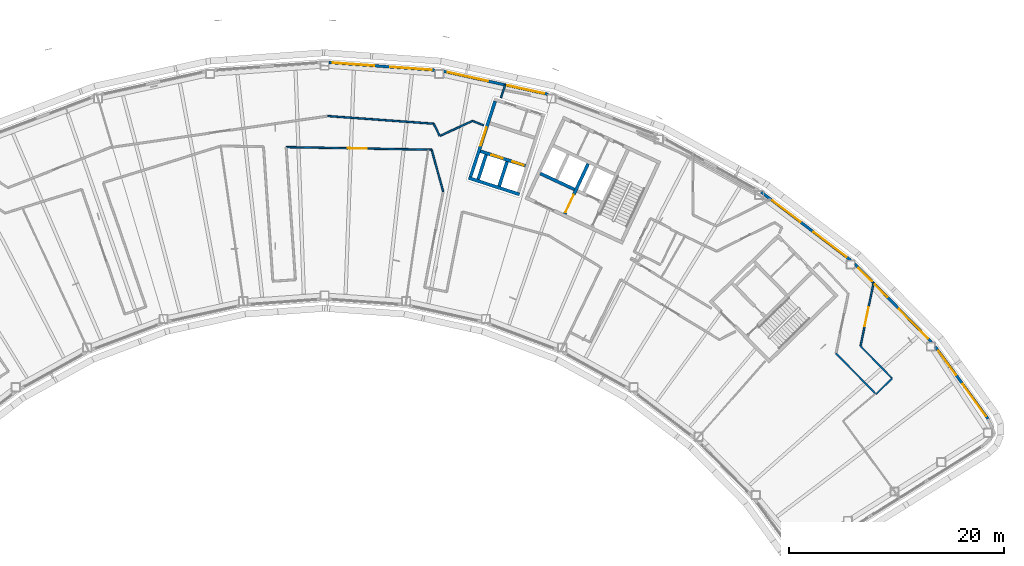
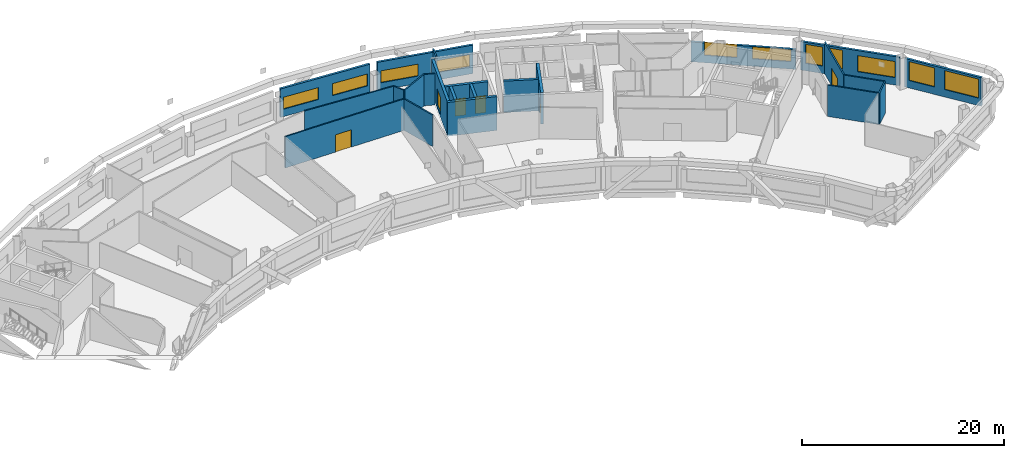
# One storey, part 9 of 21: 23 walls, 11 windows, 6 doors, 17 openings.
"""IFC4 building model written with IfcOpenShell, lengths in metres."""

import ifcopenshell
import ifcopenshell.guid

model = None  # the IFC model being written
_history = None  # IfcOwnerHistory: only IFC2X3 demands one
_inside = {}  # id of a spatial element -> (the spatial element, [elements in it])
_under = {}  # id of a project, library or spatial element -> (it, [spatial elements below it])
_declared = {}  # id of a project -> (the project, [libraries it declares])
_typed = {}  # id of a type object -> (the type object, [elements of that type])
_made_of = {}  # id of a material, layer set ... -> (it, [elements and type objects made of it])


def new_model(schema):
    """Start an empty IFC model of exactly this schema.

    Asked for "IFC4X3", IfcOpenShell would pick the latest addendum, in which some entities
    have other attributes; the version numbers below select the first issue.
    IFC2X3 requires an IfcOwnerHistory on every rooted entity: one is made here for all.
    """
    global model, _history
    if schema == "IFC4X3":
        model = ifcopenshell.file(schema_version=(4, 3, 0, 0))
    else:
        model = ifcopenshell.file(schema=schema)
    _inside.clear()
    _under.clear()
    _declared.clear()
    _typed.clear()
    _made_of.clear()
    _history = None
    if model.schema == "IFC2X3":
        org = make("IfcOrganization", Name="unknown")
        user = make(
            "IfcPersonAndOrganization",
            ThePerson=make("IfcPerson", FamilyName="unknown"),
            TheOrganization=org,
        )
        app = make(
            "IfcApplication",
            ApplicationDeveloper=org,
            Version="unknown",
            ApplicationFullName="unknown",
            ApplicationIdentifier="unknown",
        )
        _history = make(
            "IfcOwnerHistory",
            OwningUser=user,
            OwningApplication=app,
            ChangeAction="ADDED",
            CreationDate=0,
        )
    return model


def make(cls, **values):
    """One entity of the class cls with the attributes given. An attribute that is None is left unset."""
    return model.create_entity(
        cls, **{name: value for name, value in values.items() if value is not None}
    )


def rooted(cls, **values):
    """An entity with a GlobalId (a new one), such as an element, a storey or a relation."""
    return make(cls, GlobalId=ifcopenshell.guid.new(), OwnerHistory=_history, **values)


def si_unit(unit_type, name, prefix=None):
    """IfcSIUnit, for example si_unit("LENGTHUNIT", "METRE", prefix="MILLI")."""
    return make("IfcSIUnit", UnitType=unit_type, Prefix=prefix, Name=name)


def assignment(units):
    """IfcUnitAssignment: the units of a project."""
    return None if units is None else make("IfcUnitAssignment", Units=units)


def point(xyz):
    """IfcCartesianPoint."""
    return None if xyz is None else make("IfcCartesianPoint", Coordinates=xyz)


def direction(xyz):
    """IfcDirection."""
    return None if xyz is None else make("IfcDirection", DirectionRatios=xyz)


def frame(location, z_axis=None, x_axis=None):
    """IfcAxis2Placement3D, a coordinate frame: its origin and axes. An axis left out is left unset."""
    return make(
        "IfcAxis2Placement3D",
        Location=point(location),
        Axis=direction(z_axis),
        RefDirection=direction(x_axis),
    )


def frame_2d(location, x_axis=None):
    """IfcAxis2Placement2D, a coordinate frame in the plane: its origin and x axis."""
    return make(
        "IfcAxis2Placement2D", Location=point(location), RefDirection=direction(x_axis)
    )


def origin():
    """The frame at (0, 0, 0) with its axes left unset."""
    return frame((0.0, 0.0, 0.0))


def place(relative_to, where):
    """IfcLocalPlacement: puts the frame where relative to a parent placement (None: the world)."""
    return make(
        "IfcLocalPlacement", PlacementRelTo=relative_to, RelativePlacement=where
    )


def context(
    kind, dimensions, precision=None, world=None, true_north=None, identifier=None
):
    """IfcGeometricRepresentationContext, for example the 3D "Model" context."""
    return make(
        "IfcGeometricRepresentationContext",
        ContextIdentifier=identifier,
        ContextType=kind,
        CoordinateSpaceDimension=dimensions,
        Precision=precision,
        WorldCoordinateSystem=world,
        TrueNorth=true_north,
    )


def subcontext(parent, identifier, kind, view, scale=None):
    """IfcGeometricRepresentationSubContext, for example "Body" below "Model"."""
    return make(
        "IfcGeometricRepresentationSubContext",
        ContextIdentifier=identifier,
        ContextType=kind,
        ParentContext=parent,
        TargetScale=scale,
        TargetView=view,
    )


def project(units=None, contexts=None):
    """IfcProject with its units and contexts."""
    return rooted(
        "IfcProject",
        Name="project",
        RepresentationContexts=contexts,
        UnitsInContext=assignment(units),
    )


def spatial(cls, under=None, at=None, **own):
    """A site, building, storey or space (cls), placed at a placement, below another one or the project."""
    s = rooted(cls, ObjectPlacement=at, **own)
    if under is not None:
        _under.setdefault(under.id(), (under, []))[1].append(s)
    return s


def profile(cls, at=None, kind="AREA", **sizes):
    """A parametric profile (cls). Its sizes go by their IFC names, for example OverallWidth=200.0."""
    return make(cls, ProfileType=kind, Position=at, **sizes)


def rectangle(**sizes):
    """IfcRectangleProfileDef."""
    return profile("IfcRectangleProfileDef", **sizes)


def extrude(swept, where, along, depth):
    """IfcExtrudedAreaSolid: the profile swept, set in the frame where, extruded along a direction by depth."""
    return make(
        "IfcExtrudedAreaSolid",
        SweptArea=swept,
        Position=where,
        ExtrudedDirection=direction(along),
        Depth=depth,
    )


def shape(context_of_items, identifier, shape_type, items):
    """IfcShapeRepresentation: the items that make up one representation, for example the "Body"."""
    return make(
        "IfcShapeRepresentation",
        ContextOfItems=context_of_items,
        RepresentationIdentifier=identifier,
        RepresentationType=shape_type,
        Items=items,
    )


def material(Name=None, Category=None):
    """IfcMaterial."""
    return make("IfcMaterial", Name=Name, Category=Category)


def layer(
    of_material, thickness, ventilated=None, Name=None, Category=None, Priority=None
):
    """IfcMaterialLayer: one layer of a wall or slab, of a material (None: an air gap)."""
    return make(
        "IfcMaterialLayer",
        Material=of_material,
        LayerThickness=thickness,
        IsVentilated=ventilated,
        Name=Name,
        Category=Category,
        Priority=Priority,
    )


def layer_set(layers, Name=None):
    """IfcMaterialLayerSet."""
    return make("IfcMaterialLayerSet", MaterialLayers=layers, LayerSetName=Name)


def made_of(thing, what):
    """Note that an element or type object is made of a material, layer set ...; save() writes the relation."""
    if what is not None:
        _made_of.setdefault(what.id(), (what, []))[1].append(thing)
    return thing


def type_object(cls, material=None, **own):
    """A type object (cls), such as IfcWallType, which elements share."""
    return made_of(rooted(cls, **own), material)


def element(
    cls,
    number,
    at=None,
    inside=None,
    cuts=None,
    type_object=None,
    material=None,
    context=None,
    identifier="Body",
    shape_type=None,
    held_by="IfcProductDefinitionShape",
    body=None,
    shapes=None,
    **own,
):
    """One element of the class cls, such as IfcWall. Its Tag is "e" and its number.

    at: its placement. inside: the storey or other place that contains it. cuts: it is an
    opening in that element (IfcRelVoidsElement). A single representation is given by context,
    identifier, shape_type and body (its items); several are given by shapes. held_by: the class
    of the entity that holds the representations. save() writes the other relations.
    """
    e = rooted(cls, Tag="e%d" % number, ObjectPlacement=at, **own)
    if body is not None:
        shapes = [shape(context, identifier, shape_type, body)]
    if shapes is not None:
        e.Representation = make(held_by, Representations=shapes)
    if inside is not None:
        _inside.setdefault(inside.id(), (inside, []))[1].append(e)
    if cuts is not None:
        rooted(
            "IfcRelVoidsElement", RelatingBuildingElement=cuts, RelatedOpeningElement=e
        )
    if type_object is not None:
        _typed.setdefault(type_object.id(), (type_object, []))[1].append(e)
    return made_of(e, material)


def fill(opening, filler):
    """IfcRelFillsElement: the door or window that sits in an opening."""
    return rooted(
        "IfcRelFillsElement",
        RelatingOpeningElement=opening,
        RelatedBuildingElement=filler,
    )


def aggregate(whole, parts):
    """IfcRelAggregates: a whole, such as a stair, and the parts it consists of."""
    return rooted("IfcRelAggregates", RelatingObject=whole, RelatedObjects=parts)


def save(model, path):
    """Write the relations noted so far, then the file.

    IfcRelAggregates (storeys below a building ...), IfcRelContainedInSpatialStructure (elements
    in a storey), IfcRelDefinesByType, IfcRelAssociatesMaterial and IfcRelDeclares: one each for
    every whole, place, type object, material and project.
    """
    for whole, parts in _under.values():
        aggregate(whole, parts)
    for where, things in _inside.values():
        rooted(
            "IfcRelContainedInSpatialStructure",
            RelatedElements=things,
            RelatingStructure=where,
        )
    for kind, things in _typed.values():
        rooted("IfcRelDefinesByType", RelatedObjects=things, RelatingType=kind)
    for what, things in _made_of.values():
        rooted("IfcRelAssociatesMaterial", RelatedObjects=things, RelatingMaterial=what)
    for by, libraries in _declared.values():
        rooted("IfcRelDeclares", RelatingContext=by, RelatedDefinitions=libraries)
    model.write(path)


model = new_model("IFC4")

# Units and contexts
model_context = context("Model", 3, precision=1e-05, world=origin(), true_north=direction((0.0, 1.0)))
body_context = subcontext(model_context, "Body", "Model", "MODEL_VIEW")
ifc_project = project(units=[si_unit("LENGTHUNIT", "METRE"), si_unit("AREAUNIT", "SQUARE_METRE"), si_unit("VOLUMEUNIT", "CUBIC_METRE"), si_unit("PLANEANGLEUNIT", "RADIAN"), si_unit("MASSUNIT", "GRAM", prefix="KILO")], contexts=[model_context])

# Site, building, storey
site_placement = place(None, origin())
site = spatial("IfcSite", under=ifc_project, at=site_placement, CompositionType="ELEMENT")
building_placement = place(site_placement, origin())
building = spatial("IfcBuilding", under=site, at=building_placement, Name="Tuul Gate Civic Tower", CompositionType="ELEMENT")
storey_placement = place(building_placement, frame((0.0, 0.0, 311.0)))
storey = spatial("IfcBuildingStorey", under=building, at=storey_placement, Name="Level 70", CompositionType="ELEMENT", Elevation=311.0)

# Wall
ifc_material_1 = material(Name="Concrete C50/60", Category="concrete")
ifc_layer_1 = layer(ifc_material_1, 0.300048828125)
ifc_layer_set_1 = layer_set([ifc_layer_1], Name="Concrete C50/60")
wall_type_1 = type_object("IfcWallType", Name="Core wall C50/60", PredefinedType="SHEAR", material=ifc_layer_set_1)
wall_1_placement = place(storey_placement, frame((30.0078125, -2.2734375, 0.0), z_axis=(0.0, 0.0, 1.0), x_axis=(-0.90630071767, 0.422633421716, 0.0)))
element("IfcWall", 1, at=wall_1_placement, inside=storey, type_object=wall_type_1, Name="Core wall", PredefinedType="SHEAR", context=body_context, shape_type="SweptSolid", body=[
    extrude(rectangle(XDim=3.5, YDim=0.300048828125, at=frame_2d((1.75, 0.0))), origin(), (0.0, 0.0, 1.0), 3.800048828125),
])

# Wall, opening, door
wall_2_placement = place(storey_placement, frame((29.108642578125, -4.557373046875, 0.0), z_axis=(0.0, 0.0, 1.0), x_axis=(0.422566235356, 0.90633204552, 0.0)))
wall_2 = element("IfcWall", 2, at=wall_2_placement, inside=storey, type_object=wall_type_1, Name="Core wall", PredefinedType="SHEAR", context=body_context, shape_type="SweptSolid", body=[
    extrude(rectangle(XDim=5.150146484375, YDim=0.300048828125, at=frame_2d((2.5751953125, 0.0))), origin(), (0.0, 0.0, 1.0), 3.800048828125),
])
opening_1_placement = place(wall_2_placement, frame((0.175048828125, 0.0, 0.0)))
opening_1 = element("IfcOpeningElement", 3, at=opening_1_placement, cuts=wall_2, Name="Opening LB-E3-FLOBBY-1", PredefinedType="OPENING", context=body_context, shape_type="SweptSolid", body=[
    extrude(rectangle(XDim=1.800048828125, YDim=2.10009765625, at=frame_2d((0.89990234375, 1.050048828125))), frame((0.0, 0.16015625, 0.0), z_axis=(0.0, -1.0, 0.0), x_axis=(1.0, 0.0, 0.0)), (0.0, 0.0, 1.0), 0.320068359375),
])
ifc_material_2 = material(Name="Steel", Category="steel")
door_type_1 = type_object("IfcDoorType", Name="Lobby door", OperationType="DOUBLE_DOOR_SINGLE_SWING", PredefinedType="DOOR", material=ifc_material_2)
door_1_placement = place(opening_1_placement, frame((1.800048828125, 0.0, 0.0), z_axis=(0.0, 0.0, 1.0), x_axis=(-1.0, 0.0, 0.0)))
door_1 = element("IfcDoor", 4, at=door_1_placement, inside=storey, type_object=door_type_1, Name="Lobby door E3-FLOBBY", OperationType="DOUBLE_DOOR_SINGLE_SWING", OverallHeight=2.10009765625, OverallWidth=1.800048828125, PredefinedType="DOOR", context=body_context, shape_type="SweptSolid", body=[
    extrude(rectangle(XDim=1.800048828125, YDim=2.10009765625, at=frame_2d((0.900146484375, 1.050048828125))), frame((0.0, 0.02490234375, 0.0), z_axis=(0.0, -1.0, 0.0), x_axis=(1.0, 0.0, 0.0)), (0.0, 0.0, 1.0), 0.050048828125),
])
fill(opening_1, door_1)

# Walls
ifc_material_3 = material(Name="Gypsum board partition")
ifc_layer_2 = layer(ifc_material_3, 0.14990234375)
ifc_layer_set_2 = layer_set([ifc_layer_2], Name="Gypsum board partition")
wall_type_2 = type_object("IfcWallType", Name="Corridor wall P150", PredefinedType="PARTITIONING", material=ifc_layer_set_2)
wall_3_placement = place(storey_placement, frame((54.33251953125, -17.521240234375, 0.0), z_axis=(0.0, 0.0, 1.0), x_axis=(0.700016264069, -0.714126900515, 0.0)))
element("IfcWall", 5, at=wall_3_placement, inside=storey, type_object=wall_type_2, Name="p003", PredefinedType="PARTITIONING", context=body_context, shape_type="SweptSolid", body=[
    extrude(rectangle(XDim=5.311767578125, YDim=0.14990234375, at=frame_2d((2.65576171875, 0.0))), origin(), (0.0, 0.0, 1.0), 3.800048828125),
])
wall_4_placement = place(storey_placement, frame((58.05078125, -21.314453125, 0.0), z_axis=(0.0, 0.0, 1.0), x_axis=(0.714105887894, 0.70003769961, 0.0)))
element("IfcWall", 6, at=wall_4_placement, inside=storey, type_object=wall_type_2, Name="p004", PredefinedType="PARTITIONING", context=body_context, shape_type="SweptSolid", body=[
    extrude(rectangle(XDim=2.099853515625, YDim=0.14990234375, at=frame_2d((1.0498046875, 0.0))), origin(), (0.0, 0.0, 1.0), 3.800048828125),
])
wall_5_placement = place(storey_placement, frame((56.622314453125, -16.857421875, 0.0), z_axis=(0.0, 0.0, 1.0), x_axis=(0.700008966595, -0.714134053722, 0.0)))
element("IfcWall", 7, at=wall_5_placement, inside=storey, type_object=wall_type_2, Name="p005", PredefinedType="PARTITIONING", context=body_context, shape_type="SweptSolid", body=[
    extrude(rectangle(XDim=4.182861328125, YDim=0.14990234375, at=frame_2d((2.09130859375, 0.0))), origin(), (0.0, 0.0, 1.0), 3.800048828125),
])

# Wall, opening, door
wall_6_placement = place(storey_placement, frame((56.616943359375, -16.838623046875, 0.0), z_axis=(0.0, 0.0, 1.0), x_axis=(0.201480472867, 0.979492531392, 0.0)))
wall_6 = element("IfcWall", 8, at=wall_6_placement, inside=storey, type_object=wall_type_2, Name="p006", PredefinedType="PARTITIONING", context=body_context, shape_type="SweptSolid", body=[
    extrude(rectangle(XDim=5.991943359375, YDim=0.14990234375, at=frame_2d((2.99609375, 0.0))), origin(), (0.0, 0.0, 1.0), 3.800048828125),
])
opening_2_placement = place(wall_6_placement, frame((1.897216796875, 0.0, 0.0)))
opening_2 = element("IfcOpeningElement", 9, at=opening_2_placement, cuts=wall_6, Name="Opening Z-D01", PredefinedType="OPENING", context=body_context, shape_type="SweptSolid", body=[
    extrude(rectangle(XDim=1.800048828125, YDim=2.10009765625, at=frame_2d((0.89990234375, 1.050048828125))), frame((0.0, 0.0849609375, 0.0), z_axis=(0.0, -1.0, 0.0), x_axis=(1.0, 0.0, 0.0)), (0.0, 0.0, 1.0), 0.169921875),
])
ifc_material_4 = material(Name="Timber door leaf, double", Category="wood")
door_type_2 = type_object("IfcDoorType", Name="Door D18", OperationType="DOUBLE_DOOR_SINGLE_SWING", PredefinedType="DOOR", material=ifc_material_4)
door_2_placement = place(opening_2_placement, frame((1.800048828125, 0.0, 0.0), z_axis=(0.0, 0.0, 1.0), x_axis=(-1.0, 0.0, 0.0)))
door_2 = element("IfcDoor", 10, at=door_2_placement, inside=storey, type_object=door_type_2, Name="Door Z-D01", OperationType="DOUBLE_DOOR_SINGLE_SWING", OverallHeight=2.10009765625, OverallWidth=1.800048828125, PredefinedType="DOOR", context=body_context, shape_type="SweptSolid", body=[
    extrude(rectangle(XDim=1.800048828125, YDim=2.10009765625, at=frame_2d((0.900146484375, 1.050048828125))), frame((0.0, 0.02490234375, 0.0), z_axis=(0.0, -1.0, 0.0), x_axis=(1.0, 0.0, 0.0)), (0.0, 0.0, 1.0), 0.050048828125),
])
fill(opening_2, door_2)

# Walls
wall_7_placement = place(storey_placement, frame((23.176513671875, 6.2294921875, 0.0), z_axis=(0.0, 0.0, 1.0), x_axis=(0.308145393027, 0.951339275315, 0.0)))
element("IfcWall", 11, at=wall_7_placement, inside=storey, type_object=wall_type_2, Name="p014", PredefinedType="PARTITIONING", context=body_context, shape_type="SweptSolid", body=[
    extrude(rectangle(XDim=1.279541015625, YDim=0.14990234375, at=frame_2d((0.6396484375, 0.0))), origin(), (0.0, 0.0, 1.0), 3.800048828125),
])
wall_8_placement = place(storey_placement, frame((20.530517578125, 4.094482421875, 0.0), z_axis=(0.0, 0.0, 1.0), x_axis=(0.928417227945, -0.371539299206, 0.0)))
element("IfcWall", 12, at=wall_8_placement, inside=storey, type_object=wall_type_2, Name="p015", PredefinedType="PARTITIONING", context=body_context, shape_type="SweptSolid", body=[
    extrude(rectangle(XDim=1.1328125, YDim=0.14990234375, at=frame_2d((0.56640625, 0.0))), origin(), (0.0, 0.0, 1.0), 3.800048828125),
])
wall_9_placement = place(storey_placement, frame((17.50537109375, 2.701171875, 0.0), z_axis=(0.0, 0.0, 1.0), x_axis=(0.908291641802, 0.418337535289, 0.0)))
element("IfcWall", 13, at=wall_9_placement, inside=storey, type_object=wall_type_2, Name="p016", PredefinedType="PARTITIONING", context=body_context, shape_type="SweptSolid", body=[
    extrude(rectangle(XDim=3.33056640625, YDim=0.14990234375, at=frame_2d((1.665283203125, 0.0))), origin(), (0.0, 0.0, 1.0), 3.800048828125),
])
wall_10_placement = place(storey_placement, frame((16.924072265625, 3.835205078125, 0.0), z_axis=(0.0, 0.0, 1.0), x_axis=(0.442221676131, -0.896905786111, 0.0)))
element("IfcWall", 14, at=wall_10_placement, inside=storey, type_object=wall_type_2, Name="p017", PredefinedType="PARTITIONING", context=body_context, shape_type="SweptSolid", body=[
    extrude(rectangle(XDim=1.253662109375, YDim=0.14990234375, at=frame_2d((0.626953125, 0.0))), origin(), (0.0, 0.0, 1.0), 3.800048828125),
])
wall_11_placement = place(storey_placement, frame((7.087646484375, 4.547607421875, 0.0), z_axis=(0.0, 0.0, 1.0), x_axis=(0.997387588346, -0.072235715632, 0.0)))
element("IfcWall", 15, at=wall_11_placement, inside=storey, type_object=wall_type_2, Name="p018", PredefinedType="PARTITIONING", context=body_context, shape_type="SweptSolid", body=[
    extrude(rectangle(XDim=9.8623046875, YDim=0.14990234375, at=frame_2d((4.93115234375, 0.0))), origin(), (0.0, 0.0, 1.0), 3.800048828125),
])

# Wall, opening, door
wall_12_placement = place(storey_placement, frame((3.22509765625, 1.657958984375, 0.0), z_axis=(0.0, 0.0, 1.0), x_axis=(0.999840656995, -0.01785106777, 0.0)))
wall_12 = element("IfcWall", 16, at=wall_12_placement, inside=storey, type_object=wall_type_2, Name="p038", PredefinedType="PARTITIONING", context=body_context, shape_type="SweptSolid", body=[
    extrude(rectangle(XDim=13.498779296875, YDim=0.14990234375, at=frame_2d((6.74951171875, 0.0))), origin(), (0.0, 0.0, 1.0), 3.800048828125),
])
opening_3_placement = place(wall_12_placement, frame((5.69482421875, 0.0, 0.0)))
opening_3 = element("IfcOpeningElement", 17, at=opening_3_placement, cuts=wall_12, Name="Opening Z-D08", PredefinedType="OPENING", context=body_context, shape_type="SweptSolid", body=[
    extrude(rectangle(XDim=1.800048828125, YDim=2.10009765625, at=frame_2d((0.89990234375, 1.050048828125))), frame((0.0, 0.0849609375, 0.0), z_axis=(0.0, -1.0, 0.0), x_axis=(1.0, 0.0, 0.0)), (0.0, 0.0, 1.0), 0.169921875),
])
door_3_placement = place(opening_3_placement, frame((1.800048828125, 0.0, 0.0), z_axis=(0.0, 0.0, 1.0), x_axis=(-1.0, 0.0, 0.0)))
door_3 = element("IfcDoor", 18, at=door_3_placement, inside=storey, type_object=door_type_2, Name="Door Z-D08", OperationType="DOUBLE_DOOR_SINGLE_SWING", OverallHeight=2.10009765625, OverallWidth=1.800048828125, PredefinedType="DOOR", context=body_context, shape_type="SweptSolid", body=[
    extrude(rectangle(XDim=1.800048828125, YDim=2.10009765625, at=frame_2d((0.900146484375, 1.050048828125))), frame((0.0, 0.02490234375, 0.0), z_axis=(0.0, -1.0, 0.0), x_axis=(1.0, 0.0, 0.0)), (0.0, 0.0, 1.0), 0.050048828125),
])
fill(opening_3, door_3)

# Wall
wall_13_placement = place(storey_placement, frame((16.7412109375, 1.40185546875, 0.0), z_axis=(0.0, 0.0, 1.0), x_axis=(0.264174843179, -0.964474806426, 0.0)))
element("IfcWall", 19, at=wall_13_placement, inside=storey, type_object=wall_type_2, Name="p039", PredefinedType="PARTITIONING", context=body_context, shape_type="SweptSolid", body=[
    extrude(rectangle(XDim=4.02392578125, YDim=0.14990234375, at=frame_2d((2.011962890625, 0.0))), origin(), (0.0, 0.0, 1.0), 3.800048828125),
])

# Wall, openings, windows
ifc_material_5 = material(Name="Precast concrete C40/50", Category="concrete")
ifc_layer_3 = layer(ifc_material_5, 0.25)
ifc_layer_set_3 = layer_set([ifc_layer_3], Name="Precast concrete C40/50")
wall_type_3 = type_object("IfcWallType", Name="External wall", PredefinedType="STANDARD", material=ifc_layer_set_3)
wall_14_placement = place(storey_placement, frame((68.47802734375, -23.61376953125, 0.0), z_axis=(0.0, 0.0, 1.0), x_axis=(-0.589827901293, 0.807528975862, 0.0)))
wall_14 = element("IfcWall", 20, at=wall_14_placement, inside=storey, type_object=wall_type_3, Name="External wall", PredefinedType="STANDARD", context=body_context, shape_type="SweptSolid", body=[
    extrude(rectangle(XDim=8.337890625, YDim=0.25, at=frame_2d((4.1689453125, 0.0))), origin(), (0.0, 0.0, 1.0), 3.449951171875),
])
opening_4_placement = place(wall_14_placement, frame((0.301025390625, 0.0, 0.89990234375)))
opening_4 = element("IfcOpeningElement", 21, at=opening_4_placement, cuts=wall_14, Name="Opening W21", PredefinedType="OPENING", context=body_context, shape_type="SweptSolid", body=[
    extrude(rectangle(XDim=3.699951171875, YDim=2.300048828125, at=frame_2d((1.85009765625, 1.14990234375))), frame((0.0, 0.135009765625, 0.0), z_axis=(0.0, -1.0, 0.0), x_axis=(1.0, 0.0, 0.0)), (0.0, 0.0, 1.0), 0.27001953125),
])
opening_5_placement = place(wall_14_placement, frame((5.052978515625, 0.0, 0.89990234375)))
opening_5 = element("IfcOpeningElement", 22, at=opening_5_placement, cuts=wall_14, Name="Opening W23", PredefinedType="OPENING", context=body_context, shape_type="SweptSolid", body=[
    extrude(rectangle(XDim=2.800048828125, YDim=2.300048828125, at=frame_2d((1.39990234375, 1.14990234375))), frame((0.0, 0.135009765625, 0.0), z_axis=(0.0, -1.0, 0.0), x_axis=(1.0, 0.0, 0.0)), (0.0, 0.0, 1.0), 0.27001953125),
])
ifc_material_6 = material(Name="Glass", Category="glass")
window_type_1 = type_object("IfcWindowType", Name="Window W21 3700 x 2300", PartitioningType="SINGLE_PANEL", PredefinedType="WINDOW", material=ifc_material_6)
window_1_placement = place(opening_4_placement, origin())
window_1 = element("IfcWindow", 23, at=window_1_placement, inside=storey, type_object=window_type_1, Name="Window", OverallHeight=2.300048828125, OverallWidth=3.699951171875, PartitioningType="SINGLE_PANEL", PredefinedType="WINDOW", context=body_context, shape_type="SweptSolid", body=[
    extrude(rectangle(XDim=3.699951171875, YDim=2.300048828125, at=frame_2d((1.85009765625, 1.14990234375))), frame((0.0, 0.030029296875, 0.0), z_axis=(0.0, -1.0, 0.0), x_axis=(1.0, 0.0, 0.0)), (0.0, 0.0, 1.0), 0.06005859375),
])
fill(opening_4, window_1)
ifc_material_7 = material(Name="Glass", Category="glass")
window_type_2 = type_object("IfcWindowType", Name="Window W23 2800 x 2300", PartitioningType="SINGLE_PANEL", PredefinedType="WINDOW", material=ifc_material_7)
window_2_placement = place(opening_5_placement, origin())
window_2 = element("IfcWindow", 24, at=window_2_placement, inside=storey, type_object=window_type_2, Name="Window", OverallHeight=2.300048828125, OverallWidth=2.800048828125, PartitioningType="SINGLE_PANEL", PredefinedType="WINDOW", context=body_context, shape_type="SweptSolid", body=[
    extrude(rectangle(XDim=2.800048828125, YDim=2.300048828125, at=frame_2d((1.39990234375, 1.14990234375))), frame((0.0, 0.030029296875, 0.0), z_axis=(0.0, -1.0, 0.0), x_axis=(1.0, 0.0, 0.0)), (0.0, 0.0, 1.0), 0.06005859375),
])
fill(opening_5, window_2)

wall_15_placement = place(storey_placement, frame((63.22314453125, -16.48388671875, 0.0), z_axis=(0.0, 0.0, 1.0), x_axis=(-0.700055609081, 0.714088330807, 0.0)))
wall_15 = element("IfcWall", 25, at=wall_15_placement, inside=storey, type_object=wall_type_3, Name="External wall", PredefinedType="STANDARD", context=body_context, shape_type="SweptSolid", body=[
    extrude(rectangle(XDim=10.1953125, YDim=0.25, at=frame_2d((5.09765625, 0.0))), origin(), (0.0, 0.0, 1.0), 3.449951171875),
])
opening_6_placement = place(wall_15_placement, frame((0.487060546875, 0.0, 0.89990234375)))
opening_6 = element("IfcOpeningElement", 26, at=opening_6_placement, cuts=wall_15, Name="Opening W147", PredefinedType="OPENING", context=body_context, shape_type="SweptSolid", body=[
    extrude(rectangle(XDim=3.85009765625, YDim=1.949951171875, at=frame_2d((1.925048828125, 0.97509765625))), frame((0.0, 0.135009765625, 0.0), z_axis=(0.0, -1.0, 0.0), x_axis=(1.0, 0.0, 0.0)), (0.0, 0.0, 1.0), 0.27001953125),
])
opening_7_placement = place(wall_15_placement, frame((5.862548828125, 0.0, 0.89990234375)))
opening_7 = element("IfcOpeningElement", 27, at=opening_7_placement, cuts=wall_15, Name="Opening W55", PredefinedType="OPENING", context=body_context, shape_type="SweptSolid", body=[
    extrude(rectangle(XDim=1.64990234375, YDim=2.300048828125, at=frame_2d((0.824951171875, 1.14990234375))), frame((0.0, 0.135009765625, 0.0), z_axis=(0.0, -1.0, 0.0), x_axis=(1.0, 0.0, 0.0)), (0.0, 0.0, 1.0), 0.27001953125),
])
opening_8_placement = place(wall_15_placement, frame((7.9375, 0.0, 0.89990234375)))
opening_8 = element("IfcOpeningElement", 28, at=opening_8_placement, cuts=wall_15, Name="Opening W67", PredefinedType="OPENING", context=body_context, shape_type="SweptSolid", body=[
    extrude(rectangle(XDim=1.75, YDim=2.300048828125, at=frame_2d((0.875, 1.14990234375))), frame((0.0, 0.135009765625, 0.0), z_axis=(0.0, -1.0, 0.0), x_axis=(1.0, 0.0, 0.0)), (0.0, 0.0, 1.0), 0.27001953125),
])
ifc_material_8 = material(Name="Glass", Category="glass")
window_type_3 = type_object("IfcWindowType", Name="Window 1650 x 2300", PartitioningType="SINGLE_PANEL", PredefinedType="WINDOW", material=ifc_material_8)
window_3_placement = place(opening_7_placement, origin())
window_3 = element("IfcWindow", 29, at=window_3_placement, inside=storey, type_object=window_type_3, Name="Window", OverallHeight=2.300048828125, OverallWidth=1.64990234375, PartitioningType="SINGLE_PANEL", PredefinedType="WINDOW", context=body_context, shape_type="SweptSolid", body=[
    extrude(rectangle(XDim=1.64990234375, YDim=2.300048828125, at=frame_2d((0.824951171875, 1.14990234375))), frame((0.0, 0.030029296875, 0.0), z_axis=(0.0, -1.0, 0.0), x_axis=(1.0, 0.0, 0.0)), (0.0, 0.0, 1.0), 0.06005859375),
])
fill(opening_7, window_3)
ifc_material_9 = material(Name="Glass", Category="glass")
window_type_4 = type_object("IfcWindowType", Name="Window 1750 x 2300", PartitioningType="SINGLE_PANEL", PredefinedType="WINDOW", material=ifc_material_9)
window_4_placement = place(opening_8_placement, origin())
window_4 = element("IfcWindow", 30, at=window_4_placement, inside=storey, type_object=window_type_4, Name="Window", OverallHeight=2.300048828125, OverallWidth=1.75, PartitioningType="SINGLE_PANEL", PredefinedType="WINDOW", context=body_context, shape_type="SweptSolid", body=[
    extrude(rectangle(XDim=1.75, YDim=2.300048828125, at=frame_2d((0.875, 1.14990234375))), frame((0.0, 0.030029296875, 0.0), z_axis=(0.0, -1.0, 0.0), x_axis=(1.0, 0.0, 0.0)), (0.0, 0.0, 1.0), 0.06005859375),
])
fill(opening_8, window_4)
ifc_material_10 = material(Name="Glass", Category="glass")
window_type_5 = type_object("IfcWindowType", Name="Window W147 3850 x 1950", PartitioningType="SINGLE_PANEL", PredefinedType="WINDOW", material=ifc_material_10)
window_5_placement = place(opening_6_placement, origin())
window_5 = element("IfcWindow", 31, at=window_5_placement, inside=storey, type_object=window_type_5, Name="Window", OverallHeight=1.949951171875, OverallWidth=3.85009765625, PartitioningType="SINGLE_PANEL", PredefinedType="WINDOW", context=body_context, shape_type="SweptSolid", body=[
    extrude(rectangle(XDim=3.85009765625, YDim=1.949951171875, at=frame_2d((1.925048828125, 0.97509765625))), frame((0.0, 0.030029296875, 0.0), z_axis=(0.0, -1.0, 0.0), x_axis=(1.0, 0.0, 0.0)), (0.0, 0.0, 1.0), 0.06005859375),
])
fill(opening_6, window_5)

wall_16_placement = place(storey_placement, frame((27.56201171875, 6.56201171875, 0.0), z_axis=(0.0, 0.0, 1.0), x_axis=(-0.976565167079, 0.215221919071, 0.0)))
wall_16 = element("IfcWall", 32, at=wall_16_placement, inside=storey, type_object=wall_type_3, Name="External wall", PredefinedType="STANDARD", context=body_context, shape_type="SweptSolid", body=[
    extrude(rectangle(XDim=9.95751953125, YDim=0.25, at=frame_2d((4.978759765625, 0.0))), origin(), (0.0, 0.0, 1.0), 3.449951171875),
])
opening_9_placement = place(wall_16_placement, frame((5.717041015625, 0.0, 0.89990234375)))
opening_9 = element("IfcOpeningElement", 33, at=opening_9_placement, cuts=wall_16, Name="Opening W103", PredefinedType="OPENING", context=body_context, shape_type="SweptSolid", body=[
    extrude(rectangle(XDim=3.85009765625, YDim=1.449951171875, at=frame_2d((1.925048828125, 0.72509765625))), frame((0.0, 0.135009765625, 0.0), z_axis=(0.0, -1.0, 0.0), x_axis=(1.0, 0.0, 0.0)), (0.0, 0.0, 1.0), 0.27001953125),
])
opening_10_placement = place(wall_16_placement, frame((0.366943359375, 0.0, 0.89990234375)))
opening_10 = element("IfcOpeningElement", 34, at=opening_10_placement, cuts=wall_16, Name="Opening W132", PredefinedType="OPENING", context=body_context, shape_type="SweptSolid", body=[
    extrude(rectangle(XDim=3.5, YDim=1.449951171875, at=frame_2d((1.75, 0.72509765625))), frame((0.0, 0.135009765625, 0.0), z_axis=(0.0, -1.0, 0.0), x_axis=(1.0, 0.0, 0.0)), (0.0, 0.0, 1.0), 0.27001953125),
])
ifc_material_11 = material(Name="Glass", Category="glass")
window_type_6 = type_object("IfcWindowType", Name="Window W103 3850 x 1450", PartitioningType="SINGLE_PANEL", PredefinedType="WINDOW", material=ifc_material_11)
window_6_placement = place(opening_9_placement, origin())
window_6 = element("IfcWindow", 35, at=window_6_placement, inside=storey, type_object=window_type_6, Name="Window", OverallHeight=1.449951171875, OverallWidth=3.85009765625, PartitioningType="SINGLE_PANEL", PredefinedType="WINDOW", context=body_context, shape_type="SweptSolid", body=[
    extrude(rectangle(XDim=3.85009765625, YDim=1.449951171875, at=frame_2d((1.925048828125, 0.72509765625))), frame((0.0, 0.030029296875, 0.0), z_axis=(0.0, -1.0, 0.0), x_axis=(1.0, 0.0, 0.0)), (0.0, 0.0, 1.0), 0.06005859375),
])
fill(opening_9, window_6)
ifc_material_12 = material(Name="Glass", Category="glass")
window_type_7 = type_object("IfcWindowType", Name="Window W132 3500 x 1450", PartitioningType="SINGLE_PANEL", PredefinedType="WINDOW", material=ifc_material_12)
window_7_placement = place(opening_10_placement, origin())
window_7 = element("IfcWindow", 36, at=window_7_placement, inside=storey, type_object=window_type_7, Name="Window", OverallHeight=1.449951171875, OverallWidth=3.5, PartitioningType="SINGLE_PANEL", PredefinedType="WINDOW", context=body_context, shape_type="SweptSolid", body=[
    extrude(rectangle(XDim=3.5, YDim=1.449951171875, at=frame_2d((1.75, 0.72509765625))), frame((0.0, 0.030029296875, 0.0), z_axis=(0.0, -1.0, 0.0), x_axis=(1.0, 0.0, 0.0)), (0.0, 0.0, 1.0), 0.06005859375),
])
fill(opening_10, window_7)

wall_17_placement = place(storey_placement, frame((17.0380859375, 8.8154296875, 0.0), z_axis=(0.0, 0.0, 1.0), x_axis=(-0.997387687721, 0.072234343517, 0.0)))
wall_17 = element("IfcWall", 37, at=wall_17_placement, inside=storey, type_object=wall_type_3, Name="External wall", PredefinedType="STANDARD", context=body_context, shape_type="SweptSolid", body=[
    extrude(rectangle(XDim=9.8759765625, YDim=0.25, at=frame_2d((4.93798828125, 0.0))), origin(), (0.0, 0.0, 1.0), 3.449951171875),
])
opening_11_placement = place(wall_17_placement, frame((0.303955078125, 0.0, 0.89990234375)))
opening_11 = element("IfcOpeningElement", 38, at=opening_11_placement, cuts=wall_17, Name="Opening W103", PredefinedType="OPENING", context=body_context, shape_type="SweptSolid", body=[
    extrude(rectangle(XDim=3.85009765625, YDim=1.449951171875, at=frame_2d((1.925048828125, 0.72509765625))), frame((0.0, 0.135009765625, 0.0), z_axis=(0.0, -1.0, 0.0), x_axis=(1.0, 0.0, 0.0)), (0.0, 0.0, 1.0), 0.27001953125),
])
opening_12_placement = place(wall_17_placement, frame((5.675048828125, 0.0, 0.89990234375)))
opening_12 = element("IfcOpeningElement", 39, at=opening_12_placement, cuts=wall_17, Name="Opening W103", PredefinedType="OPENING", context=body_context, shape_type="SweptSolid", body=[
    extrude(rectangle(XDim=3.85009765625, YDim=1.449951171875, at=frame_2d((1.925048828125, 0.72509765625))), frame((0.0, 0.135009765625, 0.0), z_axis=(0.0, -1.0, 0.0), x_axis=(1.0, 0.0, 0.0)), (0.0, 0.0, 1.0), 0.27001953125),
])
window_8_placement = place(opening_11_placement, origin())
window_8 = element("IfcWindow", 40, at=window_8_placement, inside=storey, type_object=window_type_6, Name="Window", OverallHeight=1.449951171875, OverallWidth=3.85009765625, PartitioningType="SINGLE_PANEL", PredefinedType="WINDOW", context=body_context, shape_type="SweptSolid", body=[
    extrude(rectangle(XDim=3.85009765625, YDim=1.449951171875, at=frame_2d((1.925048828125, 0.72509765625))), frame((0.0, 0.030029296875, 0.0), z_axis=(0.0, -1.0, 0.0), x_axis=(1.0, 0.0, 0.0)), (0.0, 0.0, 1.0), 0.06005859375),
])
fill(opening_11, window_8)
window_9_placement = place(opening_12_placement, origin())
window_9 = element("IfcWindow", 41, at=window_9_placement, inside=storey, type_object=window_type_6, Name="Window", OverallHeight=1.449951171875, OverallWidth=3.85009765625, PartitioningType="SINGLE_PANEL", PredefinedType="WINDOW", context=body_context, shape_type="SweptSolid", body=[
    extrude(rectangle(XDim=3.85009765625, YDim=1.449951171875, at=frame_2d((1.925048828125, 0.72509765625))), frame((0.0, 0.030029296875, 0.0), z_axis=(0.0, -1.0, 0.0), x_axis=(1.0, 0.0, 0.0)), (0.0, 0.0, 1.0), 0.06005859375),
])
fill(opening_12, window_9)

ifc_material_13 = material(Name="Precast concrete C40/50", Category="concrete")
ifc_layer_4 = layer(ifc_material_13, 0.25)
ifc_layer_set_4 = layer_set([ifc_layer_4], Name="Precast concrete C40/50")
wall_type_4 = type_object("IfcWallType", Name="External wall 2400 HIGH", PredefinedType="STANDARD", material=ifc_layer_set_4)
wall_18_placement = place(storey_placement, frame((55.6962890625, -8.85888671875, 0.0), z_axis=(0.0, 0.0, 1.0), x_axis=(-0.795617387362, 0.605799449427, 0.0)))
wall_18 = element("IfcWall", 42, at=wall_18_placement, inside=storey, type_object=wall_type_4, Name="External wall", PredefinedType="STANDARD", context=body_context, shape_type="SweptSolid", body=[
    extrude(rectangle(XDim=10.47216796875, YDim=0.25, at=frame_2d((5.236083984375, 0.0))), origin(), (0.0, 0.0, 1.0), 2.39990234375),
])
opening_13_placement = place(wall_18_placement, frame((0.493896484375, 0.0, 0.89990234375)))
opening_13 = element("IfcOpeningElement", 43, at=opening_13_placement, cuts=wall_18, Name="Opening W103", PredefinedType="OPENING", context=body_context, shape_type="SweptSolid", body=[
    extrude(rectangle(XDim=3.85009765625, YDim=1.449951171875, at=frame_2d((1.925048828125, 0.72509765625))), frame((0.0, 0.135009765625, 0.0), z_axis=(0.0, -1.0, 0.0), x_axis=(1.0, 0.0, 0.0)), (0.0, 0.0, 1.0), 0.27001953125),
])
opening_14_placement = place(wall_18_placement, frame((5.881103515625, 0.0, 0.89990234375)))
opening_14 = element("IfcOpeningElement", 44, at=opening_14_placement, cuts=wall_18, Name="Opening W164", PredefinedType="OPENING", context=body_context, shape_type="SweptSolid", body=[
    extrude(rectangle(XDim=3.25, YDim=1.5, at=frame_2d((1.625, 0.75))), frame((0.0, 0.135009765625, 0.0), z_axis=(0.0, -1.0, 0.0), x_axis=(1.0, 0.0, 0.0)), (0.0, 0.0, 1.0), 0.27001953125),
])
ifc_material_14 = material(Name="Glass", Category="glass")
window_type_8 = type_object("IfcWindowType", Name="Window 3250 x 1500", PartitioningType="SINGLE_PANEL", PredefinedType="WINDOW", material=ifc_material_14)
window_10_placement = place(opening_14_placement, origin())
window_10 = element("IfcWindow", 45, at=window_10_placement, inside=storey, type_object=window_type_8, Name="Window", OverallHeight=1.5, OverallWidth=3.25, PartitioningType="SINGLE_PANEL", PredefinedType="WINDOW", context=body_context, shape_type="SweptSolid", body=[
    extrude(rectangle(XDim=3.25, YDim=1.5, at=frame_2d((1.625, 0.75))), frame((0.0, 0.030029296875, 0.0), z_axis=(0.0, -1.0, 0.0), x_axis=(1.0, 0.0, 0.0)), (0.0, 0.0, 1.0), 0.06005859375),
])
fill(opening_14, window_10)
window_11_placement = place(opening_13_placement, origin())
window_11 = element("IfcWindow", 46, at=window_11_placement, inside=storey, type_object=window_type_6, Name="Window", OverallHeight=1.449951171875, OverallWidth=3.85009765625, PartitioningType="SINGLE_PANEL", PredefinedType="WINDOW", context=body_context, shape_type="SweptSolid", body=[
    extrude(rectangle(XDim=3.85009765625, YDim=1.449951171875, at=frame_2d((1.925048828125, 0.72509765625))), frame((0.0, 0.030029296875, 0.0), z_axis=(0.0, -1.0, 0.0), x_axis=(1.0, 0.0, 0.0)), (0.0, 0.0, 1.0), 0.06005859375),
])
fill(opening_13, window_11)

# Wall
ifc_material_15 = material(Name="Concrete C40/50", Category="concrete")
ifc_layer_5 = layer(ifc_material_15, 0.300048828125)
ifc_layer_set_5 = layer_set([ifc_layer_5], Name="Concrete C40/50")
wall_type_5 = type_object("IfcWallType", Name="Lift shaft wall C40/50", PredefinedType="STANDARD", material=ifc_layer_set_5)
wall_19_placement = place(storey_placement, frame((24.911376953125, -2.746337890625, -0.300048828125), z_axis=(0.0, 0.0, 1.0), x_axis=(-0.951067792613, 0.308982287281, 0.0)))
element("IfcWall", 47, at=wall_19_placement, inside=storey, type_object=wall_type_5, Name="Shaft wall", PredefinedType="STANDARD", context=body_context, shape_type="SweptSolid", body=[
    extrude(rectangle(XDim=5.0, YDim=0.300048828125, at=frame_2d((2.5, 0.0))), origin(), (0.0, 0.0, 1.0), 4.10009765625),
])

# Wall, openings, doors
wall_20_placement = place(storey_placement, frame((25.460693359375, -0.0859375, -0.300048828125), z_axis=(0.0, 0.0, 1.0), x_axis=(-0.951063829732, 0.308994485023, 0.0)))
wall_20 = element("IfcWall", 48, at=wall_20_placement, inside=storey, type_object=wall_type_5, Name="Shaft wall", PredefinedType="STANDARD", context=body_context, shape_type="SweptSolid", body=[
    extrude(rectangle(XDim=4.400146484375, YDim=0.300048828125, at=frame_2d((2.2001953125, 0.0))), origin(), (0.0, 0.0, 1.0), 4.10009765625),
])
opening_15_placement = place(wall_20_placement, frame((0.175048828125, 0.0, 0.300048828125)))
opening_15 = element("IfcOpeningElement", 49, at=opening_15_placement, cuts=wall_20, Name="Opening LD-H2", PredefinedType="OPENING", context=body_context, shape_type="SweptSolid", body=[
    extrude(rectangle(XDim=1.10009765625, YDim=2.10009765625, at=frame_2d((0.550048828125, 1.050048828125))), frame((0.0, 0.16015625, 0.0), z_axis=(0.0, -1.0, 0.0), x_axis=(1.0, 0.0, 0.0)), (0.0, 0.0, 1.0), 0.320068359375),
])
opening_16_placement = place(wall_20_placement, frame((2.22509765625, 0.0, 0.300048828125)))
opening_16 = element("IfcOpeningElement", 50, at=opening_16_placement, cuts=wall_20, Name="Opening LD-H3", PredefinedType="OPENING", context=body_context, shape_type="SweptSolid", body=[
    extrude(rectangle(XDim=1.10009765625, YDim=2.10009765625, at=frame_2d((0.550048828125, 1.050048828125))), frame((0.0, 0.16015625, 0.0), z_axis=(0.0, -1.0, 0.0), x_axis=(1.0, 0.0, 0.0)), (0.0, 0.0, 1.0), 0.320068359375),
])
ifc_material_16 = material(Name="Stainless steel", Category="steel")
door_type_3 = type_object("IfcDoorType", Name="Landing door", OperationType="DOUBLE_DOOR_SLIDING", PredefinedType="DOOR", material=ifc_material_16)
door_4_placement = place(opening_15_placement, origin())
door_4 = element("IfcDoor", 51, at=door_4_placement, inside=storey, type_object=door_type_3, Name="High-rise lift H2 landing door", OperationType="DOUBLE_DOOR_SLIDING", OverallHeight=2.10009765625, OverallWidth=1.10009765625, PredefinedType="DOOR", context=body_context, shape_type="SweptSolid", body=[
    extrude(rectangle(XDim=1.10009765625, YDim=2.10009765625, at=frame_2d((0.550048828125, 1.050048828125))), frame((0.0, 0.02490234375, 0.0), z_axis=(0.0, -1.0, 0.0), x_axis=(1.0, 0.0, 0.0)), (0.0, 0.0, 1.0), 0.050048828125),
])
fill(opening_15, door_4)
door_5_placement = place(opening_16_placement, origin())
door_5 = element("IfcDoor", 52, at=door_5_placement, inside=storey, type_object=door_type_3, Name="High-rise lift H3 landing door", OperationType="DOUBLE_DOOR_SLIDING", OverallHeight=2.10009765625, OverallWidth=1.10009765625, PredefinedType="DOOR", context=body_context, shape_type="SweptSolid", body=[
    extrude(rectangle(XDim=1.10009765625, YDim=2.10009765625, at=frame_2d((0.550048828125, 1.050048828125))), frame((0.0, 0.02490234375, 0.0), z_axis=(0.0, -1.0, 0.0), x_axis=(1.0, 0.0, 0.0)), (0.0, 0.0, 1.0), 0.050048828125),
])
fill(opening_16, door_5)

# Walls
for number, where, z_axis, x_axis, name in (
    (53, (23.008056640625, -1.97021484375, -0.300048828125), (0.0, 0.0, 1.0), (0.309138975195, 0.951016873675, 0.0), "Shaft wall"),
    (54, (21.058349609375, -1.336669921875, -0.300048828125), (0.0, 0.0, 1.0), (0.309138975195, 0.951016873675, 0.0), "Shaft wall"),
):
    element("IfcWall", number, at=place(storey_placement, frame(where, z_axis=z_axis, x_axis=x_axis)), inside=storey, type_object=wall_type_5, Name=name, PredefinedType="STANDARD", context=body_context, shape_type="SweptSolid", body=[
        extrude(rectangle(XDim=2.400146484375, YDim=0.300048828125, at=frame_2d((1.2001953125, 0.0))), origin(), (0.0, 0.0, 1.0), 4.10009765625),
    ])

# Wall, opening, door
wall_21_placement = place(storey_placement, frame((20.34521484375, -1.10498046875, -0.300048828125), z_axis=(0.0, 0.0, 1.0), x_axis=(0.30907264409, 0.951038432807, 0.0)))
wall_21 = element("IfcWall", 55, at=wall_21_placement, inside=storey, type_object=wall_type_5, Name="Shaft wall", PredefinedType="STANDARD", context=body_context, shape_type="SweptSolid", body=[
    extrude(rectangle(XDim=7.39990234375, YDim=0.300048828125, at=frame_2d((3.699951171875, 0.0))), origin(), (0.0, 0.0, 1.0), 4.10009765625),
])
opening_17_placement = place(wall_21_placement, frame((3.02490234375, 0.0, 0.300048828125)))
opening_17 = element("IfcOpeningElement", 56, at=opening_17_placement, cuts=wall_21, Name="Opening LB-E4-LOBBY-1", PredefinedType="OPENING", context=body_context, shape_type="SweptSolid", body=[
    extrude(rectangle(XDim=1.800048828125, YDim=2.10009765625, at=frame_2d((0.89990234375, 1.050048828125))), frame((0.0, 0.16015625, 0.0), z_axis=(0.0, -1.0, 0.0), x_axis=(1.0, 0.0, 0.0)), (0.0, 0.0, 1.0), 0.320068359375),
])
door_6_placement = place(opening_17_placement, frame((1.800048828125, 0.0, 0.0), z_axis=(0.0, 0.0, 1.0), x_axis=(-1.0, 0.0, 0.0)))
door_6 = element("IfcDoor", 57, at=door_6_placement, inside=storey, type_object=door_type_1, Name="Lobby door E4-LOBBY", OperationType="DOUBLE_DOOR_SINGLE_SWING", OverallHeight=2.10009765625, OverallWidth=1.800048828125, PredefinedType="DOOR", context=body_context, shape_type="SweptSolid", body=[
    extrude(rectangle(XDim=1.800048828125, YDim=2.10009765625, at=frame_2d((0.900146484375, 1.050048828125))), frame((0.0, 0.02490234375, 0.0), z_axis=(0.0, -1.0, 0.0), x_axis=(1.0, 0.0, 0.0)), (0.0, 0.0, 1.0), 0.050048828125),
])
fill(opening_17, door_6)

save(model, "model.ifc")
